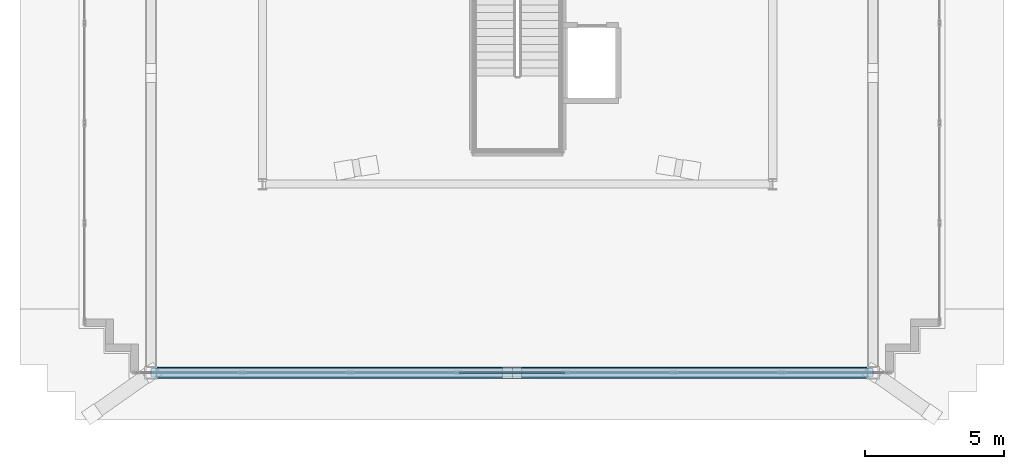
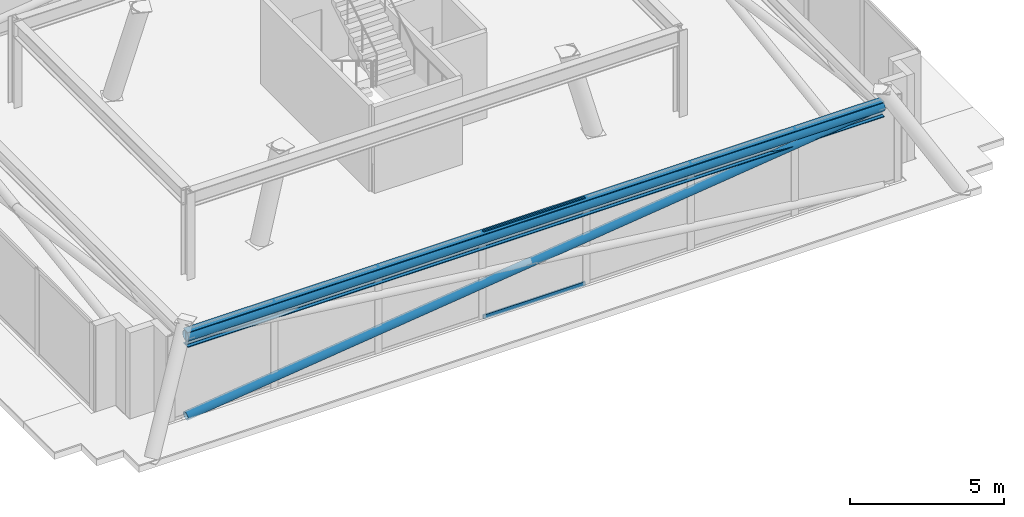
# One storey, part 4 of 15: 4 members, 1 beam, 1 element without a shape of its own.
"""IFC4 building model written with IfcOpenShell, lengths in metres."""

from ifc_helpers import new_model, si_unit, direction, frame, origin, origin_2d, place, context, subcontext, project, spatial, hollow_rectangle, hollow_circle, i_section, extrude, material, layer, layer_set, material_profile, profile_set, type_object, element, aggregate, save


model = new_model("IFC4")

# Units and contexts
model_context = context("Model", 3, precision=1e-05, world=origin(), true_north=direction((0.0, 1.0)))
body_context = subcontext(model_context, "Body", "Model", "MODEL_VIEW")
ifc_project = project(units=[si_unit("LENGTHUNIT", "METRE"), si_unit("AREAUNIT", "SQUARE_METRE"), si_unit("VOLUMEUNIT", "CUBIC_METRE"), si_unit("PLANEANGLEUNIT", "RADIAN"), si_unit("MASSUNIT", "GRAM", prefix="KILO")], contexts=[model_context])

# Site, building, storey
site_placement = place(None, origin())
site = spatial("IfcSite", under=ifc_project, at=site_placement, CompositionType="ELEMENT")
building_placement = place(site_placement, origin())
building = spatial("IfcBuilding", under=site, at=building_placement, Name="Qobustan Lattice House", CompositionType="ELEMENT")
storey_placement = place(building_placement, frame((0.0, 0.0, 281.60009765625)))
storey = spatial("IfcBuildingStorey", under=building, at=storey_placement, Name="L79", CompositionType="ELEMENT", Elevation=281.60009765625)

# Beam
ifc_material_1 = material(Name="Steel S355", Category="steel")
ifc_material_profile_1 = material_profile(ifc_material_1, i_section(OverallWidth=0.300048828125, OverallDepth=0.60009765625, WebThickness=0.015380859375, FlangeThickness=0.030029296875, FilletRadius=0.027099609375, at=origin_2d()), Name="HEB600")
ifc_profile_set_1 = profile_set([ifc_material_profile_1], Name="Steel S355")
beam_type = type_object("IfcBeamType", Name="BM-POD-HEB600", PredefinedType="USERDEFINED", material=ifc_profile_set_1)
beam_placement = place(storey_placement, frame((-13.219970703125, -12.405029296875, 3.099853515625), z_axis=(1.0, 0.0, 0.0), x_axis=(0.0, 1.0, 0.0)))
element("IfcBeam", 1, at=beam_placement, inside=storey, type_object=beam_type, Name="L79 crown perimeter ring beam 1", ObjectType="GIRDER", PredefinedType="USERDEFINED", context=body_context, shape_type="SweptSolid", body=[
    extrude(i_section(OverallWidth=0.300048828125, OverallDepth=0.60009765625, WebThickness=0.015380859375, FlangeThickness=0.030029296875, FilletRadius=0.027099609375, at=origin_2d()), origin(), (0.0, 0.0, 1.0), 26.0400390625),
])

# Curtain wall, members
ifc_material_2 = material(Name="Anodised aluminium and low-E glazing", Category="aluminium")
ifc_layer = layer(ifc_material_2, 0.219970703125)
ifc_layer_set = layer_set([ifc_layer], Name="Anodised aluminium and low-E glazing")
curtain_wall_type = type_object("IfcCurtainWallType", Name="CW-CRN-01", PredefinedType="USERDEFINED", material=ifc_layer_set)
curtain_wall_placement = place(storey_placement, origin())
curtain_wall = element("IfcCurtainWall", 2, at=curtain_wall_placement, inside=storey, type_object=curtain_wall_type, Name="L79 glass-point crown faceted curtain wall 20", ObjectType="CURTAIN WALL", PredefinedType="USERDEFINED")
ifc_material_3 = material(Name="Anodised aluminium EN AW-6063 T6", Category="aluminium")
ifc_material_profile_2 = material_profile(ifc_material_3, hollow_rectangle(XDim=0.06494140625, YDim=0.159912109375, WallThickness=0.00390625, at=origin_2d()), Name="CWT-160x65")
ifc_profile_set_2 = profile_set([ifc_material_profile_2], Name="Anodised aluminium EN AW-6063 T6")
member_type_1 = type_object("IfcMemberType", Name="CWT-HOR-160", PredefinedType="USERDEFINED", material=ifc_profile_set_2)
member_1_placement = place(storey_placement, frame((1.70068359375, -12.405029296875, 0.032470703125), z_axis=(-1.0, 0.0, 0.0), x_axis=(0.0, -1.0, 0.0)))
member_1 = element("IfcMember", 3, at=member_1_placement, type_object=member_type_1, Name="CW-CR transom 4.1", ObjectType="TRANSOM", PredefinedType="USERDEFINED", context=body_context, shape_type="SweptSolid", body=[
    extrude(hollow_rectangle(XDim=0.06494140625, YDim=0.159912109375, WallThickness=0.00390625, at=origin_2d()), origin(), (0.0, 0.0, 1.0), 3.801513671875),
])
member_2_placement = place(storey_placement, frame((1.70068359375, -12.405029296875, 3.367431640625), z_axis=(-1.0, 0.0, 0.0), x_axis=(0.0, -1.0, 0.0)))
member_2 = element("IfcMember", 4, at=member_2_placement, type_object=member_type_1, Name="CW-CR transom 4.2", ObjectType="TRANSOM", PredefinedType="USERDEFINED", context=body_context, shape_type="SweptSolid", body=[
    extrude(hollow_rectangle(XDim=0.06494140625, YDim=0.159912109375, WallThickness=0.00390625, at=origin_2d()), origin(), (0.0, 0.0, 1.0), 3.801513671875),
])
aggregate(curtain_wall, [member_1, member_2])

# Members
ifc_material_4 = material(Name="Steel S355", Category="steel")
ifc_material_profile_3 = material_profile(ifc_material_4, hollow_circle(Radius=0.161865234375, WallThickness=0.012451171875, at=origin_2d()), Name="CHS323.9x12.5")
ifc_profile_set_3 = profile_set([ifc_material_profile_3], Name="Steel S355")
member_type_2 = type_object("IfcMemberType", Name="MEM-CBR-CHS324", PredefinedType="BRACE", material=ifc_profile_set_3)
member_3_placement = place(storey_placement, frame((-13.219970703125, -12.405029296875, 0.014892578125), z_axis=(0.992694242941, 0.0, 0.120657117621), x_axis=(0.0, 1.0, 0.0)))
element("IfcMember", 5, at=member_3_placement, inside=storey, type_object=member_type_2, Name="L79 crown diagrid continuous brace 1A", PredefinedType="BRACE", context=body_context, shape_type="SweptSolid", body=[
    extrude(hollow_circle(Radius=0.161865234375, WallThickness=0.012451171875, at=origin_2d()), origin(), (0.0, 0.0, 1.0), 26.231689453125),
])
ifc_material_5 = material(Name="Steel S355", Category="steel")
ifc_material_profile_4 = material_profile(ifc_material_5, hollow_circle(Radius=0.203125, WallThickness=0.01611328125, at=origin_2d()), Name="CHS406.4x16")
ifc_profile_set_4 = profile_set([ifc_material_profile_4], Name="Steel S355")
member_type_3 = type_object("IfcMemberType", Name="MEM-RNG-CHS406", PredefinedType="CHORD", material=ifc_profile_set_4)
member_4_placement = place(storey_placement, frame((-13.219970703125, -12.405029296875, 3.179931640625), z_axis=(1.0, 0.0, 0.0), x_axis=(0.0, 1.0, 0.0)))
element("IfcMember", 6, at=member_4_placement, inside=storey, type_object=member_type_3, Name="L79 crown ring chord 1", PredefinedType="CHORD", context=body_context, shape_type="SweptSolid", body=[
    extrude(hollow_circle(Radius=0.203125, WallThickness=0.01611328125, at=origin_2d()), origin(), (0.0, 0.0, 1.0), 26.0400390625),
])

save(model, "model.ifc")
